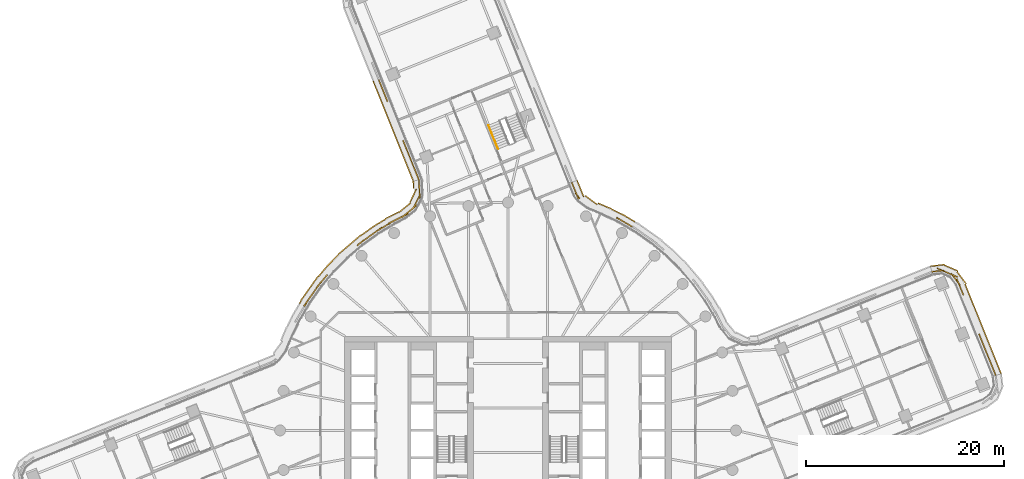
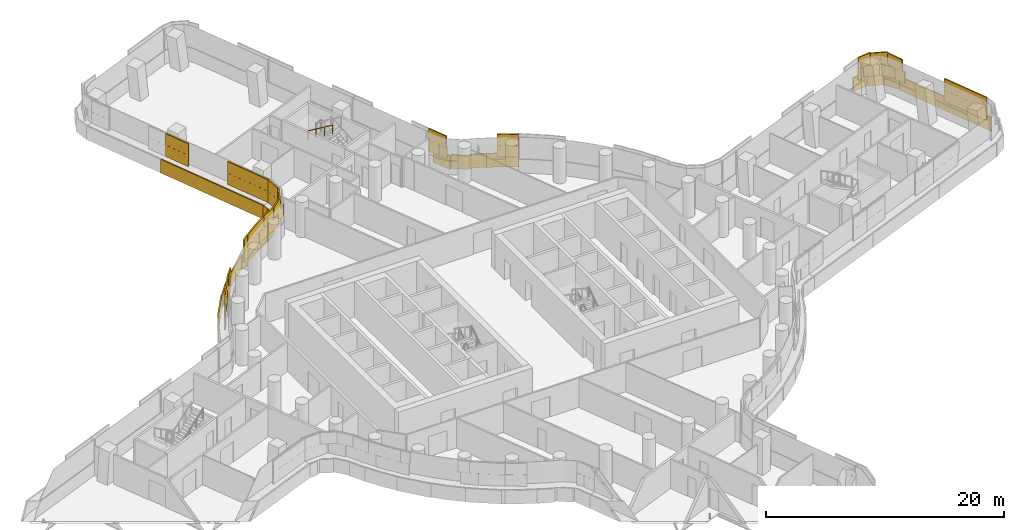
# One storey, part 31 of 32: 4 coverings, 1 railing.
"""IFC4 building model written with IfcOpenShell, lengths in metres."""

import ifcopenshell
import ifcopenshell.guid

model = None  # the IFC model being written
_history = None  # IfcOwnerHistory: only IFC2X3 demands one
_inside = {}  # id of a spatial element -> (the spatial element, [elements in it])
_under = {}  # id of a project, library or spatial element -> (it, [spatial elements below it])
_declared = {}  # id of a project -> (the project, [libraries it declares])
_typed = {}  # id of a type object -> (the type object, [elements of that type])
_made_of = {}  # id of a material, layer set ... -> (it, [elements and type objects made of it])


def new_model(schema):
    """Start an empty IFC model of exactly this schema.

    Asked for "IFC4X3", IfcOpenShell would pick the latest addendum, in which some entities
    have other attributes; the version numbers below select the first issue.
    IFC2X3 requires an IfcOwnerHistory on every rooted entity: one is made here for all.
    """
    global model, _history
    if schema == "IFC4X3":
        model = ifcopenshell.file(schema_version=(4, 3, 0, 0))
    else:
        model = ifcopenshell.file(schema=schema)
    _inside.clear()
    _under.clear()
    _declared.clear()
    _typed.clear()
    _made_of.clear()
    _history = None
    if model.schema == "IFC2X3":
        org = make("IfcOrganization", Name="unknown")
        user = make(
            "IfcPersonAndOrganization",
            ThePerson=make("IfcPerson", FamilyName="unknown"),
            TheOrganization=org,
        )
        app = make(
            "IfcApplication",
            ApplicationDeveloper=org,
            Version="unknown",
            ApplicationFullName="unknown",
            ApplicationIdentifier="unknown",
        )
        _history = make(
            "IfcOwnerHistory",
            OwningUser=user,
            OwningApplication=app,
            ChangeAction="ADDED",
            CreationDate=0,
        )
    return model


def make(cls, **values):
    """One entity of the class cls with the attributes given. An attribute that is None is left unset."""
    return model.create_entity(
        cls, **{name: value for name, value in values.items() if value is not None}
    )


def rooted(cls, **values):
    """An entity with a GlobalId (a new one), such as an element, a storey or a relation."""
    return make(cls, GlobalId=ifcopenshell.guid.new(), OwnerHistory=_history, **values)


def si_unit(unit_type, name, prefix=None):
    """IfcSIUnit, for example si_unit("LENGTHUNIT", "METRE", prefix="MILLI")."""
    return make("IfcSIUnit", UnitType=unit_type, Prefix=prefix, Name=name)


def assignment(units):
    """IfcUnitAssignment: the units of a project."""
    return None if units is None else make("IfcUnitAssignment", Units=units)


def point(xyz):
    """IfcCartesianPoint."""
    return None if xyz is None else make("IfcCartesianPoint", Coordinates=xyz)


def direction(xyz):
    """IfcDirection."""
    return None if xyz is None else make("IfcDirection", DirectionRatios=xyz)


def frame(location, z_axis=None, x_axis=None):
    """IfcAxis2Placement3D, a coordinate frame: its origin and axes. An axis left out is left unset."""
    return make(
        "IfcAxis2Placement3D",
        Location=point(location),
        Axis=direction(z_axis),
        RefDirection=direction(x_axis),
    )


def frame_2d(location, x_axis=None):
    """IfcAxis2Placement2D, a coordinate frame in the plane: its origin and x axis."""
    return make(
        "IfcAxis2Placement2D", Location=point(location), RefDirection=direction(x_axis)
    )


def origin():
    """The frame at (0, 0, 0) with its axes left unset."""
    return frame((0.0, 0.0, 0.0))


def origin_2d():
    """The frame at (0, 0) in the plane with its x axis left unset."""
    return frame_2d((0.0, 0.0))


def place(relative_to, where):
    """IfcLocalPlacement: puts the frame where relative to a parent placement (None: the world)."""
    return make(
        "IfcLocalPlacement", PlacementRelTo=relative_to, RelativePlacement=where
    )


def context(
    kind, dimensions, precision=None, world=None, true_north=None, identifier=None
):
    """IfcGeometricRepresentationContext, for example the 3D "Model" context."""
    return make(
        "IfcGeometricRepresentationContext",
        ContextIdentifier=identifier,
        ContextType=kind,
        CoordinateSpaceDimension=dimensions,
        Precision=precision,
        WorldCoordinateSystem=world,
        TrueNorth=true_north,
    )


def subcontext(parent, identifier, kind, view, scale=None):
    """IfcGeometricRepresentationSubContext, for example "Body" below "Model"."""
    return make(
        "IfcGeometricRepresentationSubContext",
        ContextIdentifier=identifier,
        ContextType=kind,
        ParentContext=parent,
        TargetScale=scale,
        TargetView=view,
    )


def project(units=None, contexts=None):
    """IfcProject with its units and contexts."""
    return rooted(
        "IfcProject",
        Name="project",
        RepresentationContexts=contexts,
        UnitsInContext=assignment(units),
    )


def spatial(cls, under=None, at=None, **own):
    """A site, building, storey or space (cls), placed at a placement, below another one or the project."""
    s = rooted(cls, ObjectPlacement=at, **own)
    if under is not None:
        _under.setdefault(under.id(), (under, []))[1].append(s)
    return s


def profile(cls, at=None, kind="AREA", **sizes):
    """A parametric profile (cls). Its sizes go by their IFC names, for example OverallWidth=200.0."""
    return make(cls, ProfileType=kind, Position=at, **sizes)


def rectangle(**sizes):
    """IfcRectangleProfileDef."""
    return profile("IfcRectangleProfileDef", **sizes)


def circle(**sizes):
    """IfcCircleProfileDef."""
    return profile("IfcCircleProfileDef", **sizes)


def extrude(swept, where, along, depth):
    """IfcExtrudedAreaSolid: the profile swept, set in the frame where, extruded along a direction by depth."""
    return make(
        "IfcExtrudedAreaSolid",
        SweptArea=swept,
        Position=where,
        ExtrudedDirection=direction(along),
        Depth=depth,
    )


def shape(context_of_items, identifier, shape_type, items):
    """IfcShapeRepresentation: the items that make up one representation, for example the "Body"."""
    return make(
        "IfcShapeRepresentation",
        ContextOfItems=context_of_items,
        RepresentationIdentifier=identifier,
        RepresentationType=shape_type,
        Items=items,
    )


def material(Name=None, Category=None):
    """IfcMaterial."""
    return make("IfcMaterial", Name=Name, Category=Category)


def layer(
    of_material, thickness, ventilated=None, Name=None, Category=None, Priority=None
):
    """IfcMaterialLayer: one layer of a wall or slab, of a material (None: an air gap)."""
    return make(
        "IfcMaterialLayer",
        Material=of_material,
        LayerThickness=thickness,
        IsVentilated=ventilated,
        Name=Name,
        Category=Category,
        Priority=Priority,
    )


def layer_set(layers, Name=None):
    """IfcMaterialLayerSet."""
    return make("IfcMaterialLayerSet", MaterialLayers=layers, LayerSetName=Name)


def made_of(thing, what):
    """Note that an element or type object is made of a material, layer set ...; save() writes the relation."""
    if what is not None:
        _made_of.setdefault(what.id(), (what, []))[1].append(thing)
    return thing


def type_object(cls, material=None, **own):
    """A type object (cls), such as IfcWallType, which elements share."""
    return made_of(rooted(cls, **own), material)


def element(
    cls,
    number,
    at=None,
    inside=None,
    cuts=None,
    type_object=None,
    material=None,
    context=None,
    identifier="Body",
    shape_type=None,
    held_by="IfcProductDefinitionShape",
    body=None,
    shapes=None,
    **own,
):
    """One element of the class cls, such as IfcWall. Its Tag is "e" and its number.

    at: its placement. inside: the storey or other place that contains it. cuts: it is an
    opening in that element (IfcRelVoidsElement). A single representation is given by context,
    identifier, shape_type and body (its items); several are given by shapes. held_by: the class
    of the entity that holds the representations. save() writes the other relations.
    """
    e = rooted(cls, Tag="e%d" % number, ObjectPlacement=at, **own)
    if body is not None:
        shapes = [shape(context, identifier, shape_type, body)]
    if shapes is not None:
        e.Representation = make(held_by, Representations=shapes)
    if inside is not None:
        _inside.setdefault(inside.id(), (inside, []))[1].append(e)
    if cuts is not None:
        rooted(
            "IfcRelVoidsElement", RelatingBuildingElement=cuts, RelatedOpeningElement=e
        )
    if type_object is not None:
        _typed.setdefault(type_object.id(), (type_object, []))[1].append(e)
    return made_of(e, material)


def aggregate(whole, parts):
    """IfcRelAggregates: a whole, such as a stair, and the parts it consists of."""
    return rooted("IfcRelAggregates", RelatingObject=whole, RelatedObjects=parts)


def save(model, path):
    """Write the relations noted so far, then the file.

    IfcRelAggregates (storeys below a building ...), IfcRelContainedInSpatialStructure (elements
    in a storey), IfcRelDefinesByType, IfcRelAssociatesMaterial and IfcRelDeclares: one each for
    every whole, place, type object, material and project.
    """
    for whole, parts in _under.values():
        aggregate(whole, parts)
    for where, things in _inside.values():
        rooted(
            "IfcRelContainedInSpatialStructure",
            RelatedElements=things,
            RelatingStructure=where,
        )
    for kind, things in _typed.values():
        rooted("IfcRelDefinesByType", RelatedObjects=things, RelatingType=kind)
    for what, things in _made_of.values():
        rooted("IfcRelAssociatesMaterial", RelatedObjects=things, RelatingMaterial=what)
    for by, libraries in _declared.values():
        rooted("IfcRelDeclares", RelatingContext=by, RelatedDefinitions=libraries)
    model.write(path)


model = new_model("IFC4")

# Units and contexts
model_context = context("Model", 3, precision=1e-05, world=origin(), true_north=direction((0.0, 1.0)))
body_context = subcontext(model_context, "Body", "Model", "MODEL_VIEW")
ifc_project = project(units=[si_unit("LENGTHUNIT", "METRE"), si_unit("AREAUNIT", "SQUARE_METRE"), si_unit("VOLUMEUNIT", "CUBIC_METRE"), si_unit("PLANEANGLEUNIT", "RADIAN"), si_unit("MASSUNIT", "GRAM", prefix="KILO")], contexts=[model_context])

# Site, building, storey
site_placement = place(None, origin())
site = spatial("IfcSite", under=ifc_project, at=site_placement, CompositionType="ELEMENT")
building_placement = place(site_placement, origin())
building = spatial("IfcBuilding", under=site, at=building_placement, Name="Tamarind Cross Interchange Tower", CompositionType="ELEMENT")
storey_placement = place(building_placement, frame((0.0, 0.0, 113.5)))
storey = spatial("IfcBuildingStorey", under=building, at=storey_placement, Name="L27", CompositionType="ELEMENT", Elevation=113.5)

# Railing
ifc_material_1 = material(Name="Stair handrail")
railing_type = type_object("IfcRailingType", Name="Stair handrail", PredefinedType="HANDRAIL", material=ifc_material_1)
railing_placement = place(storey_placement, frame((-1.98046875, 30.797119140625, 2.04541015625)))
element("IfcRailing", 1, at=railing_placement, inside=storey, type_object=railing_type, Name="L27 ST4 stair handrail 2", PredefinedType="HANDRAIL", context=body_context, shape_type="SweptSolid", body=[
    extrude(circle(Radius=0.02392578125, at=origin_2d()), frame((0.0, 0.0, 0.8759765625), z_axis=(0.312469690883, -0.775716412802, 0.548294390988), x_axis=(0.927573790047, 0.373640019295, 0.0)), (0.0, 0.0, 1.0), 3.10888671875),
    extrude(circle(Radius=0.02099609375, at=origin_2d()), origin(), (0.0, 0.0, 1.0), 0.851806640625),
    extrude(circle(Radius=0.02099609375, at=origin_2d()), frame((0.32373046875, -0.803955078125, 0.568115234375)), (0.0, 0.0, 1.0), 0.851806640625),
    extrude(circle(Radius=0.02099609375, at=origin_2d()), frame((0.647705078125, -1.607666015625, 1.136474609375)), (0.0, 0.0, 1.0), 0.851806640625),
    extrude(circle(Radius=0.02099609375, at=origin_2d()), frame((0.971435546875, -2.41162109375, 1.70458984375)), (0.0, 0.0, 1.0), 0.851806640625),
])

# Coverings
ifc_material_2 = material(Name="Terracotta", Category="masonry")
ifc_layer = layer(ifc_material_2, 0.1201171875)
ifc_layer_set = layer_set([ifc_layer], Name="Terracotta")
covering_type = type_object("IfcCoveringType", Name="Terracotta baguette screen unit", PredefinedType="MOLDING", material=ifc_layer_set)
covering_1_placement = place(storey_placement, origin())
element("IfcCovering", 2, at=covering_1_placement, inside=storey, type_object=covering_type, Name="SCR-L27-08-00", PredefinedType="MOLDING", context=body_context, shape_type="SweptSolid", body=[
    extrude(rectangle(XDim=0.760009765625, YDim=0.1201171875, at=origin_2d()), frame((49.06494140625, 5.903564453125, 1.404052734375), z_axis=(0.0, 0.0, 1.0), x_axis=(-0.373648394893, 0.927570416192, 0.0)), (0.0, 0.0, 1.0), 1.1669921875),
    extrude(rectangle(XDim=1.52001953125, YDim=0.1201171875, at=origin_2d()), frame((48.644775390625, 6.947021484375, 1.404052734375), z_axis=(0.0, 0.0, 1.0), x_axis=(-0.373648394893, 0.927570416192, 0.0)), (0.0, 0.0, 1.0), 1.1669921875),
    extrude(rectangle(XDim=1.52001953125, YDim=0.1201171875, at=origin_2d()), frame((48.084228515625, 8.33837890625, 1.404052734375), z_axis=(0.0, 0.0, 1.0), x_axis=(-0.373648394893, 0.927570416192, 0.0)), (0.0, 0.0, 1.0), 1.1669921875),
    extrude(rectangle(XDim=0.784912109375, YDim=0.1201171875, at=origin_2d()), frame((47.6591796875, 9.3935546875, 1.404052734375), z_axis=(0.0, 0.0, 1.0), x_axis=(-0.373648394893, 0.927570416192, 0.0)), (0.0, 0.0, 1.0), 1.1669921875),
    extrude(rectangle(XDim=1.03515625, YDim=0.1201171875, at=origin_2d()), frame((45.753662109375, 14.1240234375, 1.404052734375), z_axis=(0.0, 0.0, 1.0), x_axis=(-0.373648394893, 0.927570416192, 0.0)), (0.0, 0.0, 1.0), 1.1669921875),
    extrude(rectangle(XDim=1.52001953125, YDim=0.1201171875, at=origin_2d()), frame((45.173583984375, 15.234130859375, 1.404052734375), z_axis=(0.0, 0.0, 1.0), x_axis=(-0.600989523963, 0.799256899931, 0.0)), (0.0, 0.0, 1.0), 1.1669921875),
    extrude(rectangle(XDim=1.52001953125, YDim=0.1201171875, at=origin_2d()), frame((43.983154296875, 16.064208984375, 1.404052734375), z_axis=(0.0, 0.0, 1.0), x_axis=(-0.920100645125, 0.391682017509, 0.0)), (0.0, 0.0, 1.0), 1.1669921875),
    extrude(rectangle(XDim=0.509521484375, YDim=0.1201171875, at=origin_2d()), frame((43.003662109375, 16.03466796875, 1.404052734375), z_axis=(0.0, 0.0, 1.0), x_axis=(-0.992671541471, -0.120843745195, 0.0)), (0.0, 0.0, 1.0), 1.1669921875),
    extrude(rectangle(XDim=1.510009765625, YDim=0.1201171875, at=origin_2d()), frame((48.9248046875, 6.25146484375, 2.5791015625), z_axis=(0.0, 0.0, 1.0), x_axis=(-0.373648394893, 0.927570416192, 0.0)), (0.0, 0.0, 1.0), 1.1669921875),
    extrude(rectangle(XDim=1.52001953125, YDim=0.1201171875, at=origin_2d()), frame((48.364501953125, 7.642822265625, 2.5791015625), z_axis=(0.0, 0.0, 1.0), x_axis=(-0.373648394893, 0.927570416192, 0.0)), (0.0, 0.0, 1.0), 1.1669921875),
    extrude(rectangle(XDim=1.52001953125, YDim=0.1201171875, at=origin_2d()), frame((47.803955078125, 9.0341796875, 2.5791015625), z_axis=(0.0, 0.0, 1.0), x_axis=(-0.373648394893, 0.927570416192, 0.0)), (0.0, 0.0, 1.0), 1.1669921875),
    extrude(rectangle(XDim=1.52001953125, YDim=0.1201171875, at=origin_2d()), frame((45.56201171875, 14.599609375, 2.5791015625), z_axis=(0.0, 0.0, 1.0), x_axis=(-0.373648394893, 0.927570416192, 0.0)), (0.0, 0.0, 1.0), 1.1669921875),
    extrude(rectangle(XDim=1.52001953125, YDim=0.1201171875, at=origin_2d()), frame((44.67333984375, 15.770263671875, 2.5791015625), z_axis=(0.0, 0.0, 1.0), x_axis=(-0.920100645125, 0.391682017509, 0.0)), (0.0, 0.0, 1.0), 1.1669921875),
    extrude(rectangle(XDim=1.259521484375, YDim=0.1201171875, at=origin_2d()), frame((43.3759765625, 16.080078125, 2.5791015625), z_axis=(0.0, 0.0, 1.0), x_axis=(-0.992671541471, -0.120843745195, 0.0)), (0.0, 0.0, 1.0), 1.1669921875),
    extrude(rectangle(XDim=0.760009765625, YDim=0.1201171875, at=origin_2d()), frame((49.623779296875, 6.052490234375, 0.00390625), z_axis=(0.0, 0.0, 1.0), x_axis=(-0.373648394893, 0.927570416192, 0.0)), (0.0, 0.0, 1.0), 1.39208984375),
    extrude(rectangle(XDim=1.52001953125, YDim=0.1201171875, at=origin_2d()), frame((49.205322265625, 7.091552734375, 0.00390625), z_axis=(0.0, 0.0, 1.0), x_axis=(-0.373648394893, 0.927570416192, 0.0)), (0.0, 0.0, 1.0), 1.39208984375),
    extrude(rectangle(XDim=1.52001953125, YDim=0.1201171875, at=origin_2d()), frame((48.644775390625, 8.48291015625, 0.00390625), z_axis=(0.0, 0.0, 1.0), x_axis=(-0.373648394893, 0.927570416192, 0.0)), (0.0, 0.0, 1.0), 1.39208984375),
    extrude(rectangle(XDim=1.52001953125, YDim=0.1201171875, at=origin_2d()), frame((48.08447265625, 9.874267578125, 0.00390625), z_axis=(0.0, 0.0, 1.0), x_axis=(-0.373648394893, 0.927570416192, 0.0)), (0.0, 0.0, 1.0), 1.39208984375),
    extrude(rectangle(XDim=1.52001953125, YDim=0.1201171875, at=origin_2d()), frame((47.52392578125, 11.265625, 0.00390625), z_axis=(0.0, 0.0, 1.0), x_axis=(-0.373648394893, 0.927570416192, 0.0)), (0.0, 0.0, 1.0), 1.39208984375),
    extrude(rectangle(XDim=1.52001953125, YDim=0.1201171875, at=origin_2d()), frame((46.96337890625, 12.656982421875, 0.00390625), z_axis=(0.0, 0.0, 1.0), x_axis=(-0.373648394893, 0.927570416192, 0.0)), (0.0, 0.0, 1.0), 1.39208984375),
    extrude(rectangle(XDim=1.52001953125, YDim=0.1201171875, at=origin_2d()), frame((46.403076171875, 14.04833984375, 0.00390625), z_axis=(0.0, 0.0, 1.0), x_axis=(-0.373648394893, 0.927570416192, 0.0)), (0.0, 0.0, 1.0), 1.39208984375),
    extrude(rectangle(XDim=1.52001953125, YDim=0.1201171875, at=origin_2d()), frame((45.7685546875, 15.39794921875, 0.00390625), z_axis=(0.0, 0.0, 1.0), x_axis=(-0.600989523963, 0.799256899931, 0.0)), (0.0, 0.0, 1.0), 1.39208984375),
    extrude(rectangle(XDim=1.52001953125, YDim=0.1201171875, at=origin_2d()), frame((44.69970703125, 16.383056640625, 0.00390625), z_axis=(0.0, 0.0, 1.0), x_axis=(-0.920100645125, 0.391682017509, 0.0)), (0.0, 0.0, 1.0), 1.39208984375),
    extrude(rectangle(XDim=1.426513671875, YDim=0.1201171875, at=origin_2d()), frame((43.31982421875, 16.6513671875, 0.00390625), z_axis=(0.0, 0.0, 1.0), x_axis=(-0.992671541471, -0.120843745195, 0.0)), (0.0, 0.0, 1.0), 1.39208984375),
])
covering_2_placement = place(storey_placement, origin())
element("IfcCovering", 3, at=covering_2_placement, inside=storey, type_object=covering_type, Name="SCR-L27-10-01", PredefinedType="MOLDING", context=body_context, shape_type="SweptSolid", body=[
    extrude(rectangle(XDim=0.75146484375, YDim=0.1201171875, at=origin_2d()), frame((12.197265625, 20.745361328125, 1.404052734375), z_axis=(0.0, 0.0, 1.0), x_axis=(-0.861248933065, 0.508183308752, 0.0)), (0.0, 0.0, 1.0), 1.1669921875),
    extrude(rectangle(XDim=1.095703125, YDim=0.1201171875, at=origin_2d()), frame((11.410400390625, 21.209716796875, 1.404052734375), z_axis=(0.0, 0.0, 1.0), x_axis=(-0.861248933065, 0.508183308752, 0.0)), (0.0, 0.0, 1.0), 1.1669921875),
    extrude(rectangle(XDim=0.72412109375, YDim=0.1201171875, at=origin_2d()), frame((7.0087890625, 23.678955078125, 1.404052734375), z_axis=(0.0, 0.0, 1.0), x_axis=(-0.613079496716, 0.790021221681, 0.0)), (0.0, 0.0, 1.0), 1.1669921875),
    extrude(rectangle(XDim=1.123046875, YDim=0.1201171875, at=origin_2d()), frame((6.635009765625, 24.508056640625, 1.404052734375), z_axis=(0.0, 0.0, 1.0), x_axis=(-0.376468064205, 0.926429596156, 0.0)), (0.0, 0.0, 1.0), 1.1669921875),
    extrude(rectangle(XDim=1.50146484375, YDim=0.1201171875, at=origin_2d()), frame((11.874267578125, 20.93603515625, 2.5791015625), z_axis=(0.0, 0.0, 1.0), x_axis=(-0.861248933065, 0.508183308752, 0.0)), (0.0, 0.0, 1.0), 1.1669921875),
    extrude(rectangle(XDim=0.345703125, YDim=0.1201171875, at=origin_2d()), frame((11.074462890625, 21.376220703125, 2.5791015625), z_axis=(0.0, 0.0, 1.0), x_axis=(-0.900272776334, 0.435326231914, 0.0)), (0.0, 0.0, 1.0), 1.1669921875),
    extrude(rectangle(XDim=1.47412109375, YDim=0.1201171875, at=origin_2d()), frame((6.837890625, 24.00927734375, 2.5791015625), z_axis=(0.0, 0.0, 1.0), x_axis=(-0.376468064205, 0.926429596156, 0.0)), (0.0, 0.0, 1.0), 1.1669921875),
    extrude(rectangle(XDim=0.373046875, YDim=0.1201171875, at=origin_2d()), frame((6.493896484375, 24.85546875, 2.5791015625), z_axis=(0.0, 0.0, 1.0), x_axis=(-0.376468064205, 0.926429596156, 0.0)), (0.0, 0.0, 1.0), 1.1669921875),
    extrude(rectangle(XDim=1.202880859375, YDim=0.1201171875, at=origin_2d()), frame((12.297119140625, 21.35302734375, 0.00390625), z_axis=(0.0, 0.0, 1.0), x_axis=(-0.861248933065, 0.508183308752, 0.0)), (0.0, 0.0, 1.0), 1.39208984375),
    extrude(rectangle(XDim=1.52001953125, YDim=0.1201171875, at=origin_2d()), frame((11.119140625, 21.9921875, 0.00390625), z_axis=(0.0, 0.0, 1.0), x_axis=(-0.900272776334, 0.435326231914, 0.0)), (0.0, 0.0, 1.0), 1.39208984375),
    extrude(rectangle(XDim=1.52001953125, YDim=0.1201171875, at=origin_2d()), frame((9.767578125, 22.642578125, 0.00390625), z_axis=(0.0, 0.0, 1.0), x_axis=(-0.92283459186, 0.385196464244, 0.0)), (0.0, 0.0, 1.0), 1.39208984375),
    extrude(rectangle(XDim=1.52001953125, YDim=0.1201171875, at=origin_2d()), frame((8.393310546875, 23.23779296875, 0.00390625), z_axis=(0.0, 0.0, 1.0), x_axis=(-0.801236664296, 0.59834756437, 0.0)), (0.0, 0.0, 1.0), 1.39208984375),
    extrude(rectangle(XDim=1.52001953125, YDim=0.1201171875, at=origin_2d()), frame((7.349853515625, 24.273681640625, 0.00390625), z_axis=(0.0, 0.0, 1.0), x_axis=(-0.376468064205, 0.926429596156, 0.0)), (0.0, 0.0, 1.0), 1.39208984375),
    extrude(rectangle(XDim=0.302001953125, YDim=0.1201171875, at=origin_2d()), frame((7.0146484375, 25.09912109375, 0.00390625), z_axis=(0.0, 0.0, 1.0), x_axis=(-0.376468064205, 0.926429596156, 0.0)), (0.0, 0.0, 1.0), 1.39208984375),
])
covering_3_placement = place(storey_placement, origin())
element("IfcCovering", 4, at=covering_3_placement, inside=storey, type_object=covering_type, Name="SCR-L27-13-01", PredefinedType="MOLDING", context=body_context, shape_type="SweptSolid", body=[
    extrude(rectangle(XDim=0.340576171875, YDim=0.1201171875, at=origin_2d()), frame((-12.99609375, 35.251708984375, 1.404052734375), z_axis=(0.0, 0.0, 1.0), x_axis=(0.372124229448, -0.928182933401, 0.0)), (0.0, 0.0, 1.0), 1.1669921875),
    extrude(rectangle(XDim=1.52001953125, YDim=0.1201171875, at=origin_2d()), frame((-12.655517578125, 34.402099609375, 1.404052734375), z_axis=(0.0, 0.0, 1.0), x_axis=(0.372124229448, -0.928182933401, 0.0)), (0.0, 0.0, 1.0), 1.1669921875),
    extrude(rectangle(XDim=0.57861328125, YDim=0.1201171875, at=origin_2d()), frame((-12.2705078125, 33.442138671875, 1.404052734375), z_axis=(0.0, 0.0, 1.0), x_axis=(0.372124229448, -0.928182933401, 0.0)), (0.0, 0.0, 1.0), 1.1669921875),
    extrude(rectangle(XDim=1.241455078125, YDim=0.1201171875, at=origin_2d()), frame((-10.372802734375, 28.708251953125, 1.404052734375), z_axis=(0.0, 0.0, 1.0), x_axis=(0.372124229448, -0.928182933401, 0.0)), (0.0, 0.0, 1.0), 1.1669921875),
    extrude(rectangle(XDim=1.52001953125, YDim=0.1201171875, at=origin_2d()), frame((-9.864501953125, 27.440673828125, 1.404052734375), z_axis=(0.0, 0.0, 1.0), x_axis=(0.372124229448, -0.928182933401, 0.0)), (0.0, 0.0, 1.0), 1.1669921875),
    extrude(rectangle(XDim=1.52001953125, YDim=0.1201171875, at=origin_2d()), frame((-9.306396484375, 26.048583984375, 1.404052734375), z_axis=(0.0, 0.0, 1.0), x_axis=(0.372124229448, -0.928182933401, 0.0)), (0.0, 0.0, 1.0), 1.1669921875),
    extrude(rectangle(XDim=0.084228515625, YDim=0.1201171875, at=origin_2d()), frame((-9.013427734375, 25.31787109375, 1.404052734375), z_axis=(0.0, 0.0, 1.0), x_axis=(0.372124229448, -0.928182933401, 0.0)), (0.0, 0.0, 1.0), 1.1669921875),
    extrude(rectangle(XDim=1.090576171875, YDim=0.1201171875, at=origin_2d()), frame((-12.8564453125, 34.903564453125, 2.5791015625), z_axis=(0.0, 0.0, 1.0), x_axis=(0.372124229448, -0.928182933401, 0.0)), (0.0, 0.0, 1.0), 1.1669921875),
    extrude(rectangle(XDim=1.32861328125, YDim=0.1201171875, at=origin_2d()), frame((-12.41015625, 33.790283203125, 2.5791015625), z_axis=(0.0, 0.0, 1.0), x_axis=(0.372124229448, -0.928182933401, 0.0)), (0.0, 0.0, 1.0), 1.1669921875),
    extrude(rectangle(XDim=0.491455078125, YDim=0.1201171875, at=origin_2d()), frame((-10.51220703125, 29.056396484375, 2.5791015625), z_axis=(0.0, 0.0, 1.0), x_axis=(0.372124229448, -0.928182933401, 0.0)), (0.0, 0.0, 1.0), 1.1669921875),
    extrude(rectangle(XDim=1.52001953125, YDim=0.1201171875, at=origin_2d()), frame((-10.1435546875, 28.136962890625, 2.5791015625), z_axis=(0.0, 0.0, 1.0), x_axis=(0.372124229448, -0.928182933401, 0.0)), (0.0, 0.0, 1.0), 1.1669921875),
    extrude(rectangle(XDim=1.52001953125, YDim=0.1201171875, at=origin_2d()), frame((-9.58544921875, 26.74462890625, 2.5791015625), z_axis=(0.0, 0.0, 1.0), x_axis=(0.372124229448, -0.928182933401, 0.0)), (0.0, 0.0, 1.0), 1.1669921875),
    extrude(rectangle(XDim=0.834228515625, YDim=0.1201171875, at=origin_2d()), frame((-9.15283203125, 25.666015625, 2.5791015625), z_axis=(0.0, 0.0, 1.0), x_axis=(0.372124229448, -0.928182933401, 0.0)), (0.0, 0.0, 1.0), 1.1669921875),
    extrude(rectangle(XDim=0.3486328125, YDim=0.1201171875, at=origin_2d()), frame((-13.556396484375, 35.10693359375, 0.00390625), z_axis=(0.0, 0.0, 1.0), x_axis=(0.372124229448, -0.928182933401, 0.0)), (0.0, 0.0, 1.0), 1.39208984375),
    extrude(rectangle(XDim=1.52001953125, YDim=0.1201171875, at=origin_2d()), frame((-13.216064453125, 34.25830078125, 0.00390625), z_axis=(0.0, 0.0, 1.0), x_axis=(0.372124229448, -0.928182933401, 0.0)), (0.0, 0.0, 1.0), 1.39208984375),
    extrude(rectangle(XDim=1.52001953125, YDim=0.1201171875, at=origin_2d()), frame((-12.657958984375, 32.865966796875, 0.00390625), z_axis=(0.0, 0.0, 1.0), x_axis=(0.372124229448, -0.928182933401, 0.0)), (0.0, 0.0, 1.0), 1.39208984375),
    extrude(rectangle(XDim=1.52001953125, YDim=0.1201171875, at=origin_2d()), frame((-12.099853515625, 31.4736328125, 0.00390625), z_axis=(0.0, 0.0, 1.0), x_axis=(0.372124229448, -0.928182933401, 0.0)), (0.0, 0.0, 1.0), 1.39208984375),
    extrude(rectangle(XDim=1.52001953125, YDim=0.1201171875, at=origin_2d()), frame((-11.54150390625, 30.081298828125, 0.00390625), z_axis=(0.0, 0.0, 1.0), x_axis=(0.372124229448, -0.928182933401, 0.0)), (0.0, 0.0, 1.0), 1.39208984375),
    extrude(rectangle(XDim=1.52001953125, YDim=0.1201171875, at=origin_2d()), frame((-10.9833984375, 28.689208984375, 0.00390625), z_axis=(0.0, 0.0, 1.0), x_axis=(0.372124229448, -0.928182933401, 0.0)), (0.0, 0.0, 1.0), 1.39208984375),
    extrude(rectangle(XDim=1.52001953125, YDim=0.1201171875, at=origin_2d()), frame((-10.42529296875, 27.296875, 0.00390625), z_axis=(0.0, 0.0, 1.0), x_axis=(0.372124229448, -0.928182933401, 0.0)), (0.0, 0.0, 1.0), 1.39208984375),
    extrude(rectangle(XDim=1.52001953125, YDim=0.1201171875, at=origin_2d()), frame((-9.866943359375, 25.904541015625, 0.00390625), z_axis=(0.0, 0.0, 1.0), x_axis=(0.372124229448, -0.928182933401, 0.0)), (0.0, 0.0, 1.0), 1.39208984375),
    extrude(rectangle(XDim=0.0654296875, YDim=0.1201171875, at=origin_2d()), frame((-9.57958984375, 25.187255859375, 0.00390625), z_axis=(0.0, 0.0, 1.0), x_axis=(0.372124229448, -0.928182933401, 0.0)), (0.0, 0.0, 1.0), 1.39208984375),
])
covering_4_placement = place(storey_placement, origin())
element("IfcCovering", 5, at=covering_4_placement, inside=storey, type_object=covering_type, Name="SCR-L27-14-00", PredefinedType="MOLDING", context=body_context, shape_type="SweptSolid", body=[
    extrude(rectangle(XDim=0.760009765625, YDim=0.1201171875, at=origin_2d()), frame((-8.978271484375, 24.908935546875, 1.404052734375), z_axis=(0.0, 0.0, 1.0), x_axis=(0.056999779649, -0.998374190932, 0.0)), (0.0, 0.0, 1.0), 1.1669921875),
    extrude(rectangle(XDim=1.52001953125, YDim=0.1201171875, at=origin_2d()), frame((-8.9140625, 23.785888671875, 1.404052734375), z_axis=(0.0, 0.0, 1.0), x_axis=(0.056999779649, -0.998374190932, 0.0)), (0.0, 0.0, 1.0), 1.1669921875),
    extrude(rectangle(XDim=1.52001953125, YDim=0.1201171875, at=origin_2d()), frame((-9.556884765625, 22.441162109375, 1.404052734375), z_axis=(0.0, 0.0, 1.0), x_axis=(-0.776503721917, -0.630112664409, 0.0)), (0.0, 0.0, 1.0), 1.1669921875),
    extrude(rectangle(XDim=1.52001953125, YDim=0.1201171875, at=origin_2d()), frame((-10.747314453125, 21.535888671875, 1.404052734375), z_axis=(0.0, 0.0, 1.0), x_axis=(-0.895032860107, -0.446000201042, 0.0)), (0.0, 0.0, 1.0), 1.1669921875),
    extrude(rectangle(XDim=1.52001953125, YDim=0.1201171875, at=origin_2d()), frame((-12.067138671875, 20.8251953125, 1.404052734375), z_axis=(0.0, 0.0, 1.0), x_axis=(-0.856843065292, -0.515577308909, 0.0)), (0.0, 0.0, 1.0), 1.1669921875),
    extrude(rectangle(XDim=1.52001953125, YDim=0.1201171875, at=origin_2d()), frame((-13.347412109375, 20.04443359375, 1.404052734375), z_axis=(0.0, 0.0, 1.0), x_axis=(-0.811340475102, -0.584573890505, 0.0)), (0.0, 0.0, 1.0), 1.1669921875),
    extrude(rectangle(XDim=1.52001953125, YDim=0.1201171875, at=origin_2d()), frame((-14.564453125, 19.167724609375, 1.404052734375), z_axis=(0.0, 0.0, 1.0), x_axis=(-0.811340475102, -0.584573890505, 0.0)), (0.0, 0.0, 1.0), 1.1669921875),
    extrude(rectangle(XDim=1.52001953125, YDim=0.1201171875, at=origin_2d()), frame((-18.842041015625, 14.984375, 1.404052734375), z_axis=(0.0, 0.0, 1.0), x_axis=(-0.643009266048, -0.765858396687, 0.0)), (0.0, 0.0, 1.0), 1.1669921875),
    extrude(rectangle(XDim=1.52001953125, YDim=0.1201171875, at=origin_2d()), frame((-19.731689453125, 13.77783203125, 1.404052734375), z_axis=(0.0, 0.0, 1.0), x_axis=(-0.577568978284, -0.816341886298, 0.0)), (0.0, 0.0, 1.0), 1.1669921875),
    extrude(rectangle(XDim=0.7685546875, YDim=0.1201171875, at=origin_2d()), frame((-20.3642578125, 12.84326171875, 1.404052734375), z_axis=(0.0, 0.0, 1.0), x_axis=(-0.508183308752, -0.861248933065, 0.0)), (0.0, 0.0, 1.0), 1.1669921875),
    extrude(rectangle(XDim=1.510009765625, YDim=0.1201171875, at=origin_2d()), frame((-8.956787109375, 24.53466796875, 2.5791015625), z_axis=(0.0, 0.0, 1.0), x_axis=(0.056999779649, -0.998374190932, 0.0)), (0.0, 0.0, 1.0), 1.1669921875),
    extrude(rectangle(XDim=1.52001953125, YDim=0.1201171875, at=origin_2d()), frame((-9.217529296875, 23.10595703125, 2.5791015625), z_axis=(0.0, 0.0, 1.0), x_axis=(-0.434261731752, -0.900786738544, 0.0)), (0.0, 0.0, 1.0), 1.1669921875),
    extrude(rectangle(XDim=1.52001953125, YDim=0.1201171875, at=origin_2d()), frame((-10.139404296875, 21.968505859375, 2.5791015625), z_axis=(0.0, 0.0, 1.0), x_axis=(-0.776503721917, -0.630112664409, 0.0)), (0.0, 0.0, 1.0), 1.1669921875),
    extrude(rectangle(XDim=1.52001953125, YDim=0.1201171875, at=origin_2d()), frame((-11.418701171875, 21.201416015625, 2.5791015625), z_axis=(0.0, 0.0, 1.0), x_axis=(-0.895032860107, -0.446000201042, 0.0)), (0.0, 0.0, 1.0), 1.1669921875),
    extrude(rectangle(XDim=1.52001953125, YDim=0.1201171875, at=origin_2d()), frame((-12.709716796875, 20.4384765625, 2.5791015625), z_axis=(0.0, 0.0, 1.0), x_axis=(-0.856843065292, -0.515577308909, 0.0)), (0.0, 0.0, 1.0), 1.1669921875),
    extrude(rectangle(XDim=1.52001953125, YDim=0.1201171875, at=origin_2d()), frame((-13.9560546875, 19.60595703125, 2.5791015625), z_axis=(0.0, 0.0, 1.0), x_axis=(-0.811340475102, -0.584573890505, 0.0)), (0.0, 0.0, 1.0), 1.1669921875),
    extrude(rectangle(XDim=0.85009765625, YDim=0.1201171875, at=origin_2d()), frame((-14.9033203125, 18.919677734375, 2.5791015625), z_axis=(0.0, 0.0, 1.0), x_axis=(-0.760295606781, -0.64957723968, 0.0)), (0.0, 0.0, 1.0), 1.1669921875),
    extrude(rectangle(XDim=0.969970703125, YDim=0.1201171875, at=origin_2d()), frame((-18.533447265625, 15.35205078125, 2.5791015625), z_axis=(0.0, 0.0, 1.0), x_axis=(-0.643009266048, -0.765858396687, 0.0)), (0.0, 0.0, 1.0), 1.1669921875),
    extrude(rectangle(XDim=1.52001953125, YDim=0.1201171875, at=origin_2d()), frame((-19.298583984375, 14.39013671875, 2.5791015625), z_axis=(0.0, 0.0, 1.0), x_axis=(-0.577568978284, -0.816341886298, 0.0)), (0.0, 0.0, 1.0), 1.1669921875),
    extrude(rectangle(XDim=1.52001953125, YDim=0.1201171875, at=origin_2d()), frame((-20.164794921875, 13.16552734375, 2.5791015625), z_axis=(0.0, 0.0, 1.0), x_axis=(-0.577568978284, -0.816341886298, 0.0)), (0.0, 0.0, 1.0), 1.1669921875),
    extrude(rectangle(XDim=0.760009765625, YDim=0.1201171875, at=origin_2d()), frame((-9.545654296875, 24.777587890625, 0.00390625), z_axis=(0.0, 0.0, 1.0), x_axis=(0.056999779649, -0.998374190932, 0.0)), (0.0, 0.0, 1.0), 1.39208984375),
    extrude(rectangle(XDim=1.52001953125, YDim=0.1201171875, at=origin_2d()), frame((-9.57861328125, 23.6787109375, 0.00390625), z_axis=(0.0, 0.0, 1.0), x_axis=(-0.434261731752, -0.900786738544, 0.0)), (0.0, 0.0, 1.0), 1.39208984375),
    extrude(rectangle(XDim=1.52001953125, YDim=0.1201171875, at=origin_2d()), frame((-10.42138671875, 22.478759765625, 0.00390625), z_axis=(0.0, 0.0, 1.0), x_axis=(-0.776503721917, -0.630112664409, 0.0)), (0.0, 0.0, 1.0), 1.39208984375),
    extrude(rectangle(XDim=1.52001953125, YDim=0.1201171875, at=origin_2d()), frame((-11.696044921875, 21.704345703125, 0.00390625), z_axis=(0.0, 0.0, 1.0), x_axis=(-0.895032860107, -0.446000201042, 0.0)), (0.0, 0.0, 1.0), 1.39208984375),
    extrude(rectangle(XDim=1.52001953125, YDim=0.1201171875, at=origin_2d()), frame((-12.987060546875, 20.941650390625, 0.00390625), z_axis=(0.0, 0.0, 1.0), x_axis=(-0.856843065292, -0.515577308909, 0.0)), (0.0, 0.0, 1.0), 1.39208984375),
    extrude(rectangle(XDim=1.52001953125, YDim=0.1201171875, at=origin_2d()), frame((-14.2353515625, 20.112060546875, 0.00390625), z_axis=(0.0, 0.0, 1.0), x_axis=(-0.811340475102, -0.584573890505, 0.0)), (0.0, 0.0, 1.0), 1.39208984375),
    extrude(rectangle(XDim=1.52001953125, YDim=0.1201171875, at=origin_2d()), frame((-15.4384765625, 19.217529296875, 0.00390625), z_axis=(0.0, 0.0, 1.0), x_axis=(-0.760295606781, -0.64957723968, 0.0)), (0.0, 0.0, 1.0), 1.39208984375),
    extrude(rectangle(XDim=1.52001953125, YDim=0.1201171875, at=origin_2d()), frame((-16.578857421875, 18.2431640625, 0.00390625), z_axis=(0.0, 0.0, 1.0), x_axis=(-0.760295606781, -0.64957723968, 0.0)), (0.0, 0.0, 1.0), 1.39208984375),
    extrude(rectangle(XDim=1.52001953125, YDim=0.1201171875, at=origin_2d()), frame((-17.64990234375, 17.19384765625, 0.00390625), z_axis=(0.0, 0.0, 1.0), x_axis=(-0.704057148523, -0.710143317658, 0.0)), (0.0, 0.0, 1.0), 1.39208984375),
    extrude(rectangle(XDim=1.52001953125, YDim=0.1201171875, at=origin_2d()), frame((-18.663330078125, 16.08984375, 0.00390625), z_axis=(0.0, 0.0, 1.0), x_axis=(-0.643009266048, -0.765858396687, 0.0)), (0.0, 0.0, 1.0), 1.39208984375),
    extrude(rectangle(XDim=1.52001953125, YDim=0.1201171875, at=origin_2d()), frame((-19.617431640625, 14.93310546875, 0.00390625), z_axis=(0.0, 0.0, 1.0), x_axis=(-0.577568978284, -0.816341886298, 0.0)), (0.0, 0.0, 1.0), 1.39208984375),
    extrude(rectangle(XDim=1.52001953125, YDim=0.1201171875, at=origin_2d()), frame((-20.48388671875, 13.70849609375, 0.00390625), z_axis=(0.0, 0.0, 1.0), x_axis=(-0.577568978284, -0.816341886298, 0.0)), (0.0, 0.0, 1.0), 1.39208984375),
    extrude(rectangle(XDim=0.317138671875, YDim=0.1201171875, at=origin_2d()), frame((-20.966796875, 12.95166015625, 0.00390625), z_axis=(0.0, 0.0, 1.0), x_axis=(-0.508183308752, -0.861248933065, 0.0)), (0.0, 0.0, 1.0), 1.39208984375),
])

save(model, "model.ifc")
